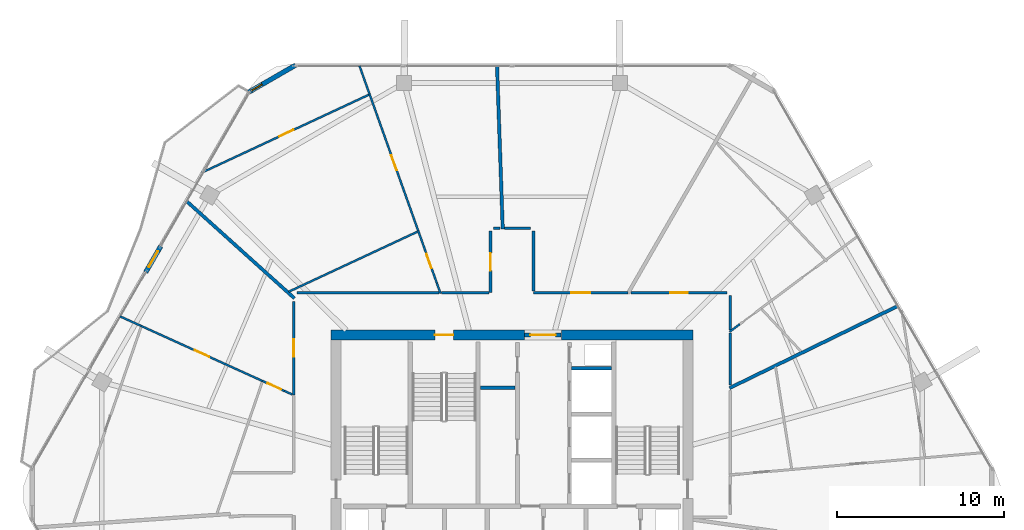
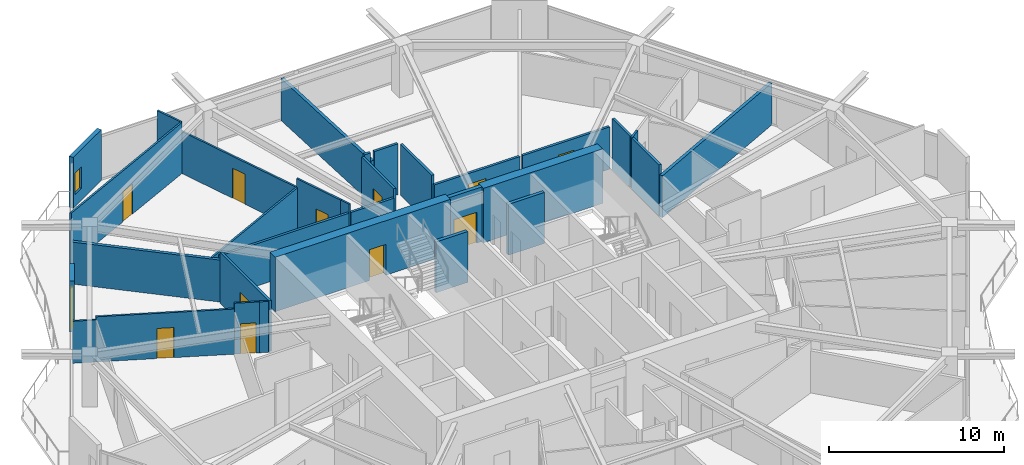
# One storey, part 21 of 25: 32 walls, 12 doors, 1 window, 13 openings.
"""IFC4 building model written with IfcOpenShell, lengths in metres."""

from ifc_helpers import new_model, si_unit, direction, frame, frame_2d, origin, place, context, subcontext, project, spatial, rectangle, extrude, material, layer, layer_set, type_object, element, fill, save


model = new_model("IFC4")

# Units and contexts
model_context = context("Model", 3, precision=1e-05, world=origin(), true_north=direction((0.0, 1.0)))
body_context = subcontext(model_context, "Body", "Model", "MODEL_VIEW")
ifc_project = project(units=[si_unit("LENGTHUNIT", "METRE"), si_unit("AREAUNIT", "SQUARE_METRE"), si_unit("VOLUMEUNIT", "CUBIC_METRE"), si_unit("PLANEANGLEUNIT", "RADIAN"), si_unit("MASSUNIT", "GRAM", prefix="KILO")], contexts=[model_context])

# Site, building, storey
site_placement = place(None, origin())
site = spatial("IfcSite", under=ifc_project, at=site_placement, CompositionType="ELEMENT")
building_placement = place(site_placement, origin())
building = spatial("IfcBuilding", under=site, at=building_placement, Name="Zuhravey Tower", CompositionType="ELEMENT")
storey_placement = place(building_placement, frame((0.0, 0.0, 235.0)))
storey = spatial("IfcBuildingStorey", under=building, at=storey_placement, Name="L59", CompositionType="ELEMENT", Elevation=235.0)

# Wall
ifc_material_1 = material(Name="Concrete C50/60", Category="concrete")
ifc_layer_1 = layer(ifc_material_1, 0.60009765625)
ifc_layer_set_1 = layer_set([ifc_layer_1], Name="Concrete C50/60")
wall_type_1 = type_object("IfcWallType", Name="Core Shear Wall 600", PredefinedType="SHEAR", material=ifc_layer_set_1)
wall_1_placement = place(storey_placement, frame((46.800048828125, 41.5, 0.0), z_axis=(0.0, 0.0, 1.0), x_axis=(-1.0, 0.0, 0.0)))
element("IfcWall", 1, at=wall_1_placement, inside=storey, type_object=wall_type_1, Name="L59 North-East Core Shear Wall CW60", PredefinedType="SHEAR", context=body_context, shape_type="SweptSolid", body=[
    extrude(rectangle(XDim=7.85009765625, YDim=0.60009765625, at=frame_2d((3.925048828125, 0.0))), origin(), (0.0, 0.0, 1.0), 3.800048828125),
])

# Wall, opening, door
wall_2_placement = place(storey_placement, frame((36.75, 41.5, 0.0), z_axis=(0.0, 0.0, 1.0), x_axis=(-1.0, 0.0, 0.0)))
wall_2 = element("IfcWall", 2, at=wall_2_placement, inside=storey, type_object=wall_type_1, Name="L59 North-West Core Shear Wall CW60", PredefinedType="SHEAR", context=body_context, shape_type="SweptSolid", body=[
    extrude(rectangle(XDim=11.550048828125, YDim=0.60009765625, at=frame_2d((5.77490234375, 0.0))), origin(), (0.0, 0.0, 1.0), 3.800048828125),
])
opening_1_placement = place(wall_2_placement, frame((4.25, 0.0, 0.0)))
opening_1 = element("IfcOpeningElement", 3, at=opening_1_placement, cuts=wall_2, Name="Opening STD1", PredefinedType="OPENING", context=body_context, shape_type="SweptSolid", body=[
    extrude(rectangle(XDim=1.10009765625, YDim=2.14990234375, at=frame_2d((0.550048828125, 1.074951171875))), frame((0.0, 0.31201171875, 0.0), z_axis=(0.0, -1.0, 0.0), x_axis=(1.0, 0.0, 0.0)), (0.0, 0.0, 1.0), 0.6240234375),
])
ifc_material_2 = material(Name="Galvanised fire-rated steel leaf", Category="steel")
door_type_1 = type_object("IfcDoorType", Name="Protected Stair Fire Door 1100x2150", OperationType="NOTDEFINED", PredefinedType="USERDEFINED", material=ifc_material_2)
door_1_placement = place(opening_1_placement, origin())
door_1 = element("IfcDoor", 4, at=door_1_placement, inside=storey, type_object=door_type_1, Name="L59 Stair ST3 Door", ObjectType="EXITDOOR", OperationType="SINGLE_SWING_RIGHT", OverallHeight=2.14990234375, OverallWidth=1.10009765625, PredefinedType="USERDEFINED", context=body_context, shape_type="SweptSolid", body=[
    extrude(rectangle(XDim=1.10009765625, YDim=2.14990234375, at=frame_2d((0.550048828125, 1.074951171875))), frame((0.0, 0.02490234375, 0.0), z_axis=(0.0, -1.0, 0.0), x_axis=(1.0, 0.0, 0.0)), (0.0, 0.0, 1.0), 0.050048828125),
])
fill(opening_1, door_1)

ifc_material_3 = material(Name="Gypsum fire-rated stud partition")
ifc_layer_2 = layer(ifc_material_3, 0.159912109375)
ifc_layer_set_2 = layer_set([ifc_layer_2], Name="Gypsum fire-rated stud partition")
wall_type_2 = type_object("IfcWallType", Name="Corridor Fire Partition 160", PredefinedType="PARTITIONING", material=ifc_layer_set_2)
wall_3_placement = place(storey_placement, frame((34.719970703125, 47.699951171875, 0.0), z_axis=(0.0, 0.0, 1.0), x_axis=(0.0, -1.0, 0.0)))
wall_3 = element("IfcWall", 5, at=wall_3_placement, inside=storey, type_object=wall_type_2, Name="L59 IW16 Partition 024", PredefinedType="PARTITIONING", context=body_context, shape_type="SweptSolid", body=[
    extrude(rectangle(XDim=3.669921875, YDim=0.159912109375, at=frame_2d((1.8349609375, 0.0))), origin(), (0.0, 0.0, 1.0), 3.550048828125),
])
opening_2_placement = place(wall_3_placement, frame((1.31005859375, 0.0, 0.0)))
opening_2 = element("IfcOpeningElement", 6, at=opening_2_placement, cuts=wall_3, Name="Opening APD1", PredefinedType="OPENING", context=body_context, shape_type="SweptSolid", body=[
    extrude(rectangle(XDim=1.050048828125, YDim=2.14990234375, at=frame_2d((0.52490234375, 1.074951171875))), frame((0.0, 0.092041015625, 0.0), z_axis=(0.0, -1.0, 0.0), x_axis=(1.0, 0.0, 0.0)), (0.0, 0.0, 1.0), 0.183837890625),
])
ifc_material_4 = material(Name="Solid-core oak fire-rated leaf")
door_type_2 = type_object("IfcDoorType", Name="Apartment Entrance Fire Door 1050x2150", OperationType="NOTDEFINED", PredefinedType="DOOR", material=ifc_material_4)
door_2_placement = place(opening_2_placement, frame((1.050048828125, 0.0, 0.0), z_axis=(0.0, 0.0, 1.0), x_axis=(-1.0, 0.0, 0.0)))
door_2 = element("IfcDoor", 7, at=door_2_placement, inside=storey, type_object=door_type_2, Name="L59 Door 024.1", OperationType="SINGLE_SWING_LEFT", OverallHeight=2.14990234375, OverallWidth=1.050048828125, PredefinedType="DOOR", context=body_context, shape_type="SweptSolid", body=[
    extrude(rectangle(XDim=1.050048828125, YDim=2.14990234375, at=frame_2d((0.52490234375, 1.074951171875))), frame((0.0, 0.02490234375, 0.0), z_axis=(0.0, -1.0, 0.0), x_axis=(1.0, 0.0, 0.0)), (0.0, 0.0, 1.0), 0.050048828125),
])
fill(opening_2, door_2)

wall_4_placement = place(storey_placement, frame((22.969970703125, 43.501220703125, 0.0), z_axis=(0.0, 0.0, 1.0), x_axis=(0.0, -1.0, 0.0)))
wall_4 = element("IfcWall", 8, at=wall_4_placement, inside=storey, type_object=wall_type_2, Name="L59 IW16 Partition 028", PredefinedType="PARTITIONING", context=body_context, shape_type="SweptSolid", body=[
    extrude(rectangle(XDim=5.568603515625, YDim=0.159912109375, at=frame_2d((2.7841796875, 0.0))), origin(), (0.0, 0.0, 1.0), 3.550048828125),
])
opening_3_placement = place(wall_4_placement, frame((2.25927734375, 0.0, 0.0)))
opening_3 = element("IfcOpeningElement", 9, at=opening_3_placement, cuts=wall_4, Name="Opening APD1", PredefinedType="OPENING", context=body_context, shape_type="SweptSolid", body=[
    extrude(rectangle(XDim=1.050048828125, YDim=2.14990234375, at=frame_2d((0.52490234375, 1.074951171875))), frame((0.0, 0.092041015625, 0.0), z_axis=(0.0, -1.0, 0.0), x_axis=(1.0, 0.0, 0.0)), (0.0, 0.0, 1.0), 0.183837890625),
])
door_3_placement = place(opening_3_placement, frame((1.050048828125, 0.0, 0.0), z_axis=(0.0, 0.0, 1.0), x_axis=(-1.0, 0.0, 0.0)))
door_3 = element("IfcDoor", 10, at=door_3_placement, inside=storey, type_object=door_type_2, Name="L59 Door 028.1", OperationType="SINGLE_SWING_LEFT", OverallHeight=2.14990234375, OverallWidth=1.050048828125, PredefinedType="DOOR", context=body_context, shape_type="SweptSolid", body=[
    extrude(rectangle(XDim=1.050048828125, YDim=2.14990234375, at=frame_2d((0.52490234375, 1.074951171875))), frame((0.0, 0.02490234375, 0.0), z_axis=(0.0, -1.0, 0.0), x_axis=(1.0, 0.0, 0.0)), (0.0, 0.0, 1.0), 0.050048828125),
])
fill(opening_3, door_3)

wall_5_placement = place(storey_placement, frame((48.85009765625, 44.030029296875, 0.0), z_axis=(0.0, 0.0, 1.0), x_axis=(-1.0, 0.0, 0.0)))
wall_5 = element("IfcWall", 11, at=wall_5_placement, inside=storey, type_object=wall_type_2, Name="L59 IW16 Partition 052", PredefinedType="PARTITIONING", context=body_context, shape_type="SweptSolid", body=[
    extrude(rectangle(XDim=5.74072265625, YDim=0.159912109375, at=frame_2d((2.870361328125, 0.0))), origin(), (0.0, 0.0, 1.0), 2.949951171875),
])
opening_4_placement = place(wall_5_placement, frame((2.34521484375, 0.0, 0.0)))
opening_4 = element("IfcOpeningElement", 12, at=opening_4_placement, cuts=wall_5, Name="Opening APD1", PredefinedType="OPENING", context=body_context, shape_type="SweptSolid", body=[
    extrude(rectangle(XDim=1.050048828125, YDim=2.14990234375, at=frame_2d((0.52490234375, 1.074951171875))), frame((0.0, 0.092041015625, 0.0), z_axis=(0.0, -1.0, 0.0), x_axis=(1.0, 0.0, 0.0)), (0.0, 0.0, 1.0), 0.183837890625),
])
door_4_placement = place(opening_4_placement, frame((1.050048828125, 0.0, 0.0), z_axis=(0.0, 0.0, 1.0), x_axis=(-1.0, 0.0, 0.0)))
door_4 = element("IfcDoor", 13, at=door_4_placement, inside=storey, type_object=door_type_2, Name="L59 Door 052.1", OperationType="SINGLE_SWING_LEFT", OverallHeight=2.14990234375, OverallWidth=1.050048828125, PredefinedType="DOOR", context=body_context, shape_type="SweptSolid", body=[
    extrude(rectangle(XDim=1.050048828125, YDim=2.14990234375, at=frame_2d((0.52490234375, 1.074951171875))), frame((0.0, 0.02490234375, 0.0), z_axis=(0.0, -1.0, 0.0), x_axis=(1.0, 0.0, 0.0)), (0.0, 0.0, 1.0), 0.050048828125),
])
fill(opening_4, door_4)

wall_6_placement = place(storey_placement, frame((42.92236328125, 44.030029296875, 0.0), z_axis=(0.0, 0.0, 1.0), x_axis=(-1.0, 0.0, 0.0)))
wall_6 = element("IfcWall", 14, at=wall_6_placement, inside=storey, type_object=wall_type_2, Name="L59 IW16 Partition 053", PredefinedType="PARTITIONING", context=body_context, shape_type="SweptSolid", body=[
    extrude(rectangle(XDim=5.642333984375, YDim=0.159912109375, at=frame_2d((2.8212890625, 0.0))), origin(), (0.0, 0.0, 1.0), 2.949951171875),
])
opening_5_placement = place(wall_6_placement, frame((2.24609375, 0.0, 0.0)))
opening_5 = element("IfcOpeningElement", 15, at=opening_5_placement, cuts=wall_6, Name="Opening CLD1", PredefinedType="OPENING", context=body_context, shape_type="SweptSolid", body=[
    extrude(rectangle(XDim=1.14990234375, YDim=2.199951171875, at=frame_2d((0.574951171875, 1.10009765625))), frame((0.0, 0.092041015625, 0.0), z_axis=(0.0, -1.0, 0.0), x_axis=(1.0, 0.0, 0.0)), (0.0, 0.0, 1.0), 0.183837890625),
])
ifc_material_5 = material(Name="Acoustic timber leaf with vision lite", Category="wood")
door_type_3 = type_object("IfcDoorType", Name="Classroom Acoustic Door 1150x2200", OperationType="NOTDEFINED", PredefinedType="DOOR", material=ifc_material_5)
door_5_placement = place(opening_5_placement, frame((1.14990234375, 0.0, 0.0), z_axis=(0.0, 0.0, 1.0), x_axis=(-1.0, 0.0, 0.0)))
door_5 = element("IfcDoor", 16, at=door_5_placement, inside=storey, type_object=door_type_3, Name="L59 Door 053.1", OperationType="SINGLE_SWING_RIGHT", OverallHeight=2.199951171875, OverallWidth=1.14990234375, PredefinedType="DOOR", context=body_context, shape_type="SweptSolid", body=[
    extrude(rectangle(XDim=1.14990234375, YDim=2.199951171875, at=frame_2d((0.574951171875, 1.10009765625))), frame((0.0, 0.02490234375, 0.0), z_axis=(0.0, -1.0, 0.0), x_axis=(1.0, 0.0, 0.0)), (0.0, 0.0, 1.0), 0.050048828125),
])
fill(opening_5, door_5)

# Walls
wall_7_placement = place(storey_placement, frame((34.632080078125, 44.030029296875, 0.0), z_axis=(0.0, 0.0, 1.0), x_axis=(-1.0, 0.0, 0.0)))
element("IfcWall", 17, at=wall_7_placement, inside=storey, type_object=wall_type_2, Name="L59 IW16 Partition 094", PredefinedType="PARTITIONING", context=body_context, shape_type="SweptSolid", body=[
    extrude(rectangle(XDim=2.843505859375, YDim=0.159912109375, at=frame_2d((1.421875, 0.0))), origin(), (0.0, 0.0, 1.0), 2.949951171875),
])
wall_8_placement = place(storey_placement, frame((35.28662109375, 47.8798828125, 0.0), z_axis=(0.0, 0.0, 1.0), x_axis=(-1.0, 0.0, 0.0)))
element("IfcWall", 18, at=wall_8_placement, inside=storey, type_object=wall_type_2, Name="L59 IW16 Partition 095", PredefinedType="PARTITIONING", context=body_context, shape_type="SweptSolid", body=[
    extrude(rectangle(XDim=0.38671875, YDim=0.159912109375, at=frame_2d((0.193359375, 0.0))), origin(), (0.0, 0.0, 1.0), 3.550048828125),
])
wall_9_placement = place(storey_placement, frame((31.64404296875, 44.030029296875, 0.0), z_axis=(0.0, 0.0, 1.0), x_axis=(-1.0, 0.0, 0.0)))
element("IfcWall", 19, at=wall_9_placement, inside=storey, type_object=wall_type_2, Name="L59 IW16 Partition 096", PredefinedType="PARTITIONING", context=body_context, shape_type="SweptSolid", body=[
    extrude(rectangle(XDim=8.494140625, YDim=0.159912109375, at=frame_2d((4.2470703125, 0.0))), origin(), (0.0, 0.0, 1.0), 2.949951171875),
])
wall_10_placement = place(storey_placement, frame((49.030029296875, 41.8076171875, 0.0), z_axis=(0.0, 0.0, 1.0), x_axis=(0.0, 1.0, 0.0)))
element("IfcWall", 20, at=wall_10_placement, inside=storey, type_object=wall_type_2, Name="L59 IW16 Partition 112", PredefinedType="PARTITIONING", context=body_context, shape_type="SweptSolid", body=[
    extrude(rectangle(XDim=2.04248046875, YDim=0.159912109375, at=frame_2d((1.021240234375, 0.0))), origin(), (0.0, 0.0, 1.0), 3.550048828125),
])
wall_11_placement = place(storey_placement, frame((49.030029296875, 38.518798828125, 0.0), z_axis=(0.0, 0.0, 1.0), x_axis=(0.0, 1.0, 0.0)))
element("IfcWall", 21, at=wall_11_placement, inside=storey, type_object=wall_type_2, Name="L59 IW16 Partition 113", PredefinedType="PARTITIONING", context=body_context, shape_type="SweptSolid", body=[
    extrude(rectangle(XDim=3.119140625, YDim=0.159912109375, at=frame_2d((1.5595703125, 0.0))), origin(), (0.0, 0.0, 1.0), 3.550048828125),
])
wall_12_placement = place(storey_placement, frame((37.280029296875, 44.117919921875, 0.0), z_axis=(0.0, 0.0, 1.0), x_axis=(0.0, 1.0, 0.0)))
element("IfcWall", 22, at=wall_12_placement, inside=storey, type_object=wall_type_2, Name="L59 IW16 Partition 114", PredefinedType="PARTITIONING", context=body_context, shape_type="SweptSolid", body=[
    extrude(rectangle(XDim=3.58203125, YDim=0.159912109375, at=frame_2d((1.791015625, 0.0))), origin(), (0.0, 0.0, 1.0), 3.550048828125),
])
wall_13_placement = place(storey_placement, frame((37.10009765625, 47.8798828125, 0.0), z_axis=(0.0, 0.0, 1.0), x_axis=(-1.0, 0.0, 0.0)))
element("IfcWall", 23, at=wall_13_placement, inside=storey, type_object=wall_type_2, Name="L59 IW16 Partition 115", PredefinedType="PARTITIONING", context=body_context, shape_type="SweptSolid", body=[
    extrude(rectangle(XDim=1.54638671875, YDim=0.159912109375, at=frame_2d((0.773193359375, 0.0))), origin(), (0.0, 0.0, 1.0), 3.550048828125),
])

# Wall, opening, door
ifc_material_6 = material(Name="Precast concrete C40/50", Category="concrete")
ifc_layer_3 = layer(ifc_material_6, 0.280029296875)
ifc_layer_set_3 = layer_set([ifc_layer_3], Name="Precast concrete C40/50")
wall_type_3 = type_object("IfcWallType", Name="Crown Architectural Wall 280", PredefinedType="SOLIDWALL", material=ifc_layer_set_3)
wall_14_placement = place(storey_placement, frame((14.1337890625, 45.25390625, 0.0), z_axis=(0.0, 0.0, 1.0), x_axis=(0.500041240653, 0.866001592173, 0.0)))
wall_14 = element("IfcWall", 24, at=wall_14_placement, inside=storey, type_object=wall_type_3, Name="L59 Face 3 Facade Pier EW28-1", PredefinedType="SOLIDWALL", context=body_context, shape_type="SweptSolid", body=[
    extrude(rectangle(XDim=1.789794921875, YDim=0.280029296875, at=frame_2d((0.89501953125, 0.0))), origin(), (0.0, 0.0, 1.0), 3.550048828125),
])
opening_6_placement = place(wall_14_placement, frame((0.344970703125, 0.0, 0.0)))
opening_6 = element("IfcOpeningElement", 25, at=opening_6_placement, cuts=wall_14, Name="Opening BLD1", PredefinedType="OPENING", context=body_context, shape_type="SweptSolid", body=[
    extrude(rectangle(XDim=1.10009765625, YDim=2.199951171875, at=frame_2d((0.550048828125, 1.10009765625))), frame((0.0, 0.152099609375, 0.0), z_axis=(0.0, -1.0, 0.0), x_axis=(1.0, 0.0, 0.0)), (0.0, 0.0, 1.0), 0.303955078125),
])
ifc_material_7 = material(Name="Thermally broken aluminium and low-E glass", Category="aluminium")
door_type_4 = type_object("IfcDoorType", Name="Balcony & Sky-Tray Glazed Door 1100x2200", OperationType="NOTDEFINED", PredefinedType="DOOR", material=ifc_material_7)
door_6_placement = place(opening_6_placement, frame((1.10009765625, 0.0, 0.0), z_axis=(0.0, 0.0, 1.0), x_axis=(-1.0, 0.0, 0.0)))
door_6 = element("IfcDoor", 26, at=door_6_placement, inside=storey, type_object=door_type_4, Name="L59 Face 3 Wave Balcony Door", OperationType="SINGLE_SWING_RIGHT", OverallHeight=2.199951171875, OverallWidth=1.10009765625, PredefinedType="DOOR", context=body_context, shape_type="SweptSolid", body=[
    extrude(rectangle(XDim=1.10009765625, YDim=2.199951171875, at=frame_2d((0.550048828125, 1.10009765625))), frame((0.0, 0.02490234375, 0.0), z_axis=(0.0, -1.0, 0.0), x_axis=(1.0, 0.0, 0.0)), (0.0, 0.0, 1.0), 0.050048828125),
])
fill(opening_6, door_6)

# Wall, opening, window
wall_15_placement = place(storey_placement, frame((20.285400390625, 56.003662109375, 0.0), z_axis=(0.0, 0.0, 1.0), x_axis=(0.866028773314, 0.499994163758, 0.0)))
wall_15 = element("IfcWall", 27, at=wall_15_placement, inside=storey, type_object=wall_type_3, Name="L59 Rounded Corner Closure Wall EW28-08", PredefinedType="SOLIDWALL", context=body_context, shape_type="SweptSolid", body=[
    extrude(rectangle(XDim=3.21484375, YDim=0.280029296875, at=frame_2d((1.607421875, 0.0))), origin(), (0.0, 0.0, 1.0), 3.550048828125),
])
opening_7_placement = place(wall_15_placement, frame((0.17578125, 0.0, 0.85009765625)))
opening_7 = element("IfcOpeningElement", 28, at=opening_7_placement, cuts=wall_15, Name="Opening WN5", PredefinedType="OPENING", context=body_context, shape_type="SweptSolid", body=[
    extrude(rectangle(XDim=0.75, YDim=1.5, at=frame_2d((0.375, 0.75))), frame((0.0, 0.152099609375, 0.0), z_axis=(0.0, -1.0, 0.0), x_axis=(1.0, 0.0, 0.0)), (0.0, 0.0, 1.0), 0.303955078125),
])
ifc_material_8 = material(Name="Thermally broken aluminium and triple low-E glass", Category="aluminium")
window_type = type_object("IfcWindowType", Name="Residential Corner Casement Window 750x1500", PartitioningType="SINGLE_PANEL", PredefinedType="WINDOW", material=ifc_material_8)
window_placement = place(opening_7_placement, origin())
window = element("IfcWindow", 29, at=window_placement, inside=storey, type_object=window_type, Name="L59 Corner Casement Window WN5-08.1", OverallHeight=1.5, OverallWidth=0.75, PartitioningType="SINGLE_PANEL", PredefinedType="WINDOW", context=body_context, shape_type="SweptSolid", body=[
    extrude(rectangle(XDim=0.75, YDim=1.5, at=frame_2d((0.375, 0.75))), frame((0.0, 0.030029296875, 0.0), z_axis=(0.0, -1.0, 0.0), x_axis=(1.0, 0.0, 0.0)), (0.0, 0.0, 1.0), 0.06005859375),
])
fill(opening_7, window)

# Wall, opening, door
ifc_layer_4 = layer(ifc_material_1, 0.25)
ifc_layer_set_4 = layer_set([ifc_layer_4], Name="Concrete C50/60")
wall_type_4 = type_object("IfcWallType", Name="Firefighting Shaft & Stair Wall 250", PredefinedType="SOLIDWALL", material=ifc_layer_set_4)
wall_16_placement = place(storey_placement, frame((36.760009765625, 41.5, 0.0), z_axis=(0.0, 0.0, 1.0), x_axis=(1.0, 0.0, 0.0)))
wall_16 = element("IfcWall", 30, at=wall_16_placement, inside=storey, type_object=wall_type_4, Name="L59 FW25 Shaft Wall 002", PredefinedType="SOLIDWALL", context=body_context, shape_type="SweptSolid", body=[
    extrude(rectangle(XDim=2.179931640625, YDim=0.25, at=frame_2d((1.08984375, 0.0))), origin(), (0.0, 0.0, 1.0), 3.800048828125),
])
opening_8_placement = place(wall_16_placement, frame((0.340087890625, 0.0, 0.0)))
opening_8 = element("IfcOpeningElement", 31, at=opening_8_placement, cuts=wall_16, Name="Opening FFD1", PredefinedType="OPENING", context=body_context, shape_type="SweptSolid", body=[
    extrude(rectangle(XDim=1.5, YDim=2.14990234375, at=frame_2d((0.75, 1.074951171875))), frame((0.0, 0.136962890625, 0.0), z_axis=(0.0, -1.0, 0.0), x_axis=(1.0, 0.0, 0.0)), (0.0, 0.0, 1.0), 0.27392578125),
])
door_type_5 = type_object("IfcDoorType", Name="Firefighting Lobby Double Door 1500x2150", OperationType="DOUBLE_DOOR_SINGLE_SWING", PredefinedType="DOOR", material=ifc_material_2)
door_7_placement = place(opening_8_placement, origin())
door_7 = element("IfcDoor", 32, at=door_7_placement, inside=storey, type_object=door_type_5, Name="L59 North Lift Lobby Exit Door", OperationType="DOUBLE_DOOR_SINGLE_SWING", OverallHeight=2.14990234375, OverallWidth=1.5, PredefinedType="DOOR", context=body_context, shape_type="SweptSolid", body=[
    extrude(rectangle(XDim=1.5, YDim=2.14990234375, at=frame_2d((0.75, 1.074951171875))), frame((0.0, 0.02490234375, 0.0), z_axis=(0.0, -1.0, 0.0), x_axis=(1.0, 0.0, 0.0)), (0.0, 0.0, 1.0), 0.050048828125),
])
fill(opening_8, door_7)

# Walls
ifc_material_9 = material(Name="Gypsum double-stud party assembly")
ifc_layer_5 = layer(ifc_material_9, 0.199951171875)
ifc_layer_set_5 = layer_set([ifc_layer_5], Name="Gypsum double-stud party assembly")
wall_type_5 = type_object("IfcWallType", Name="Inter-Tenancy Party Wall 200", PredefinedType="PARTITIONING", material=ifc_layer_set_5)
wall_17_placement = place(storey_placement, frame((35.447021484375, 47.840087890625, 0.0), z_axis=(0.0, 0.0, 1.0), x_axis=(-0.034903897424, 0.999390673333, 0.0)))
element("IfcWall", 33, at=wall_17_placement, inside=storey, type_object=wall_type_5, Name="L59 IW20 Partition 058", PredefinedType="PARTITIONING", context=body_context, shape_type="SweptSolid", body=[
    extrude(rectangle(XDim=9.7294921875, YDim=0.199951171875, at=frame_2d((4.86474609375, 0.0))), origin(), (0.0, 0.0, 1.0), 2.929931640625),
])
wall_18_placement = place(storey_placement, frame((23.010009765625, 43.6962890625, 0.0), z_axis=(0.0, 0.0, 1.0), x_axis=(-0.743146853016, 0.669128354542, 0.0)))
element("IfcWall", 34, at=wall_18_placement, inside=storey, type_object=wall_type_5, Name="L59 IW20 Partition 062", PredefinedType="PARTITIONING", context=body_context, shape_type="SweptSolid", body=[
    extrude(rectangle(XDim=8.655029296875, YDim=0.199951171875, at=frame_2d((4.32763671875, 0.0))), origin(), (0.0, 0.0, 1.0), 2.929931640625),
])
wall_19_placement = place(storey_placement, frame((48.989990234375, 38.335693359375, 0.0), z_axis=(0.0, 0.0, 1.0), x_axis=(0.898797423647, 0.438364222133, 0.0)))
element("IfcWall", 35, at=wall_19_placement, inside=storey, type_object=wall_type_5, Name="L59 IW20 Partition 090", PredefinedType="PARTITIONING", context=body_context, shape_type="SweptSolid", body=[
    extrude(rectangle(XDim=11.17333984375, YDim=0.199951171875, at=frame_2d((5.586669921875, 0.0))), origin(), (0.0, 0.0, 1.0), 2.929931640625),
])
ifc_material_10 = material(Name="Gypsum acoustic stud assembly")
ifc_layer_6 = layer(ifc_material_10, 0.219970703125)
ifc_layer_set_6 = layer_set([ifc_layer_6], Name="Gypsum acoustic stud assembly")
wall_type_6 = type_object("IfcWallType", Name="School Acoustic Compartment Wall 220", PredefinedType="PARTITIONING", material=ifc_layer_set_6)
wall_20_placement = place(storey_placement, frame((34.10791015625, 38.35009765625, 0.0), z_axis=(0.0, 0.0, 1.0), x_axis=(1.0, 0.0, 0.0)))
element("IfcWall", 36, at=wall_20_placement, inside=storey, type_object=wall_type_6, Name="L59 IW22 Partition 054", PredefinedType="PARTITIONING", context=body_context, shape_type="SweptSolid", body=[
    extrude(rectangle(XDim=2.083984375, YDim=0.219970703125, at=frame_2d((1.0419921875, 0.0))), origin(), (0.0, 0.0, 1.0), 3.550048828125),
])
wall_21_placement = place(storey_placement, frame((39.55810546875, 39.52490234375, 0.0), z_axis=(0.0, 0.0, 1.0), x_axis=(1.0, 0.0, 0.0)))
element("IfcWall", 37, at=wall_21_placement, inside=storey, type_object=wall_type_6, Name="L59 IW22 Partition 057", PredefinedType="PARTITIONING", context=body_context, shape_type="SweptSolid", body=[
    extrude(rectangle(XDim=2.3837890625, YDim=0.219970703125, at=frame_2d((1.19189453125, 0.0))), origin(), (0.0, 0.0, 1.0), 3.550048828125),
])

# Wall, opening, door
ifc_material_11 = material(Name="Gypsum metal-stud partition")
ifc_layer_7 = layer(ifc_material_11, 0.1201171875)
ifc_layer_set_7 = layer_set([ifc_layer_7], Name="Gypsum metal-stud partition")
wall_type_7 = type_object("IfcWallType", Name="Unit Internal Partition 120", PredefinedType="PARTITIONING", material=ifc_layer_set_7)
wall_22_placement = place(storey_placement, frame((31.51318359375, 44.60009765625, 0.0), z_axis=(0.0, 0.0, 1.0), x_axis=(-0.335421123767, 0.94206829356, 0.0)))
wall_22 = element("IfcWall", 38, at=wall_22_placement, inside=storey, type_object=wall_type_7, Name="L59 IW12 Partition 021", PredefinedType="PARTITIONING", context=body_context, shape_type="SweptSolid", body=[
    extrude(rectangle(XDim=3.3125, YDim=0.1201171875, at=frame_2d((1.65625, 0.0))), origin(), (0.0, 0.0, 1.0), 3.550048828125),
])
opening_9_placement = place(wall_22_placement, frame((0.94140625, 0.0, 0.0)))
opening_9 = element("IfcOpeningElement", 39, at=opening_9_placement, cuts=wall_22, Name="Opening WCD1", PredefinedType="OPENING", context=body_context, shape_type="SweptSolid", body=[
    extrude(rectangle(XDim=0.89990234375, YDim=2.10009765625, at=frame_2d((0.449951171875, 1.050048828125))), frame((0.0, 0.072021484375, 0.0), z_axis=(0.0, -1.0, 0.0), x_axis=(1.0, 0.0, 0.0)), (0.0, 0.0, 1.0), 0.14404296875),
])
ifc_material_12 = material(Name="Moisture-resistant timber leaf", Category="wood")
door_type_6 = type_object("IfcDoorType", Name="Bathroom & WC Internal Door 900x2100", OperationType="NOTDEFINED", PredefinedType="DOOR", material=ifc_material_12)
door_8_placement = place(opening_9_placement, origin())
door_8 = element("IfcDoor", 40, at=door_8_placement, inside=storey, type_object=door_type_6, Name="Apartment L59-01 Bathroom Door", OperationType="SINGLE_SWING_RIGHT", OverallHeight=2.10009765625, OverallWidth=0.89990234375, PredefinedType="DOOR", context=body_context, shape_type="SweptSolid", body=[
    extrude(rectangle(XDim=0.89990234375, YDim=2.10009765625, at=frame_2d((0.449951171875, 1.050048828125))), frame((0.0, 0.02490234375, 0.0), z_axis=(0.0, -1.0, 0.0), x_axis=(1.0, 0.0, 0.0)), (0.0, 0.0, 1.0), 0.050048828125),
])
fill(opening_9, door_8)

wall_23_placement = place(storey_placement, frame((30.402099609375, 47.720703125, 0.0), z_axis=(0.0, 0.0, 1.0), x_axis=(-0.335444891368, 0.942059830826, 0.0)))
wall_23 = element("IfcWall", 41, at=wall_23_placement, inside=storey, type_object=wall_type_7, Name="L59 IW12 Partition 022", PredefinedType="PARTITIONING", context=body_context, shape_type="SweptSolid", body=[
    extrude(rectangle(XDim=8.675537109375, YDim=0.1201171875, at=frame_2d((4.337890625, 0.0))), origin(), (0.0, 0.0, 1.0), 2.929931640625),
])
opening_10_placement = place(wall_23_placement, frame((3.837890625, 0.0, 0.0)))
opening_10 = element("IfcOpeningElement", 42, at=opening_10_placement, cuts=wall_23, Name="Opening IND1", PredefinedType="OPENING", context=body_context, shape_type="SweptSolid", body=[
    extrude(rectangle(XDim=0.949951171875, YDim=2.10009765625, at=frame_2d((0.47509765625, 1.050048828125))), frame((0.0, 0.072021484375, 0.0), z_axis=(0.0, -1.0, 0.0), x_axis=(1.0, 0.0, 0.0)), (0.0, 0.0, 1.0), 0.14404296875),
])
ifc_material_13 = material(Name="Painted engineered timber leaf", Category="wood")
door_type_7 = type_object("IfcDoorType", Name="Internal Room & Bedroom Door 950x2100", OperationType="NOTDEFINED", PredefinedType="DOOR", material=ifc_material_13)
door_9_placement = place(opening_10_placement, origin())
door_9 = element("IfcDoor", 43, at=door_9_placement, inside=storey, type_object=door_type_7, Name="Apartment L59-01 Home Office Door", OperationType="SINGLE_SWING_LEFT", OverallHeight=2.10009765625, OverallWidth=0.949951171875, PredefinedType="DOOR", context=body_context, shape_type="SweptSolid", body=[
    extrude(rectangle(XDim=0.949951171875, YDim=2.10009765625, at=frame_2d((0.47509765625, 1.050048828125))), frame((0.0, 0.02490234375, 0.0), z_axis=(0.0, -1.0, 0.0), x_axis=(1.0, 0.0, 0.0)), (0.0, 0.0, 1.0), 0.050048828125),
])
fill(opening_10, door_9)

wall_24_placement = place(storey_placement, frame((27.438232421875, 55.84130859375, 0.0), z_axis=(0.0, 0.0, 1.0), x_axis=(-0.906302762653, -0.4226290364, 0.0)))
wall_24 = element("IfcWall", 44, at=wall_24_placement, inside=storey, type_object=wall_type_7, Name="L59 IW12 Partition 023", PredefinedType="PARTITIONING", context=body_context, shape_type="SweptSolid", body=[
    extrude(rectangle(XDim=10.998291015625, YDim=0.1201171875, at=frame_2d((5.4990234375, 0.0))), origin(), (0.0, 0.0, 1.0), 3.550048828125),
])
opening_11_placement = place(wall_24_placement, frame((4.939697265625, 0.0, 0.0)))
opening_11 = element("IfcOpeningElement", 45, at=opening_11_placement, cuts=wall_24, Name="Opening IND1", PredefinedType="OPENING", context=body_context, shape_type="SweptSolid", body=[
    extrude(rectangle(XDim=0.949951171875, YDim=2.10009765625, at=frame_2d((0.47509765625, 1.050048828125))), frame((0.0, 0.072021484375, 0.0), z_axis=(0.0, -1.0, 0.0), x_axis=(1.0, 0.0, 0.0)), (0.0, 0.0, 1.0), 0.14404296875),
])
door_10_placement = place(opening_11_placement, frame((0.949951171875, 0.0, 0.0), z_axis=(0.0, 0.0, 1.0), x_axis=(-1.0, 0.0, 0.0)))
door_10 = element("IfcDoor", 46, at=door_10_placement, inside=storey, type_object=door_type_7, Name="Apartment L59-01 Bedroom 1 Door", OperationType="SINGLE_SWING_RIGHT", OverallHeight=2.10009765625, OverallWidth=0.949951171875, PredefinedType="DOOR", context=body_context, shape_type="SweptSolid", body=[
    extrude(rectangle(XDim=0.949951171875, YDim=2.10009765625, at=frame_2d((0.47509765625, 1.050048828125))), frame((0.0, 0.02490234375, 0.0), z_axis=(0.0, -1.0, 0.0), x_axis=(1.0, 0.0, 0.0)), (0.0, 0.0, 1.0), 0.050048828125),
])
fill(opening_11, door_10)

wall_25_placement = place(storey_placement, frame((22.39990234375, 38.169189453125, 0.0), z_axis=(0.0, 0.0, 1.0), x_axis=(-0.910638522973, 0.413203921178, 0.0)))
wall_25 = element("IfcWall", 47, at=wall_25_placement, inside=storey, type_object=wall_type_7, Name="L59 IW12 Partition 025", PredefinedType="PARTITIONING", context=body_context, shape_type="SweptSolid", body=[
    extrude(rectangle(XDim=1.443359375, YDim=0.1201171875, at=frame_2d((0.7216796875, 0.0))), origin(), (0.0, 0.0, 1.0), 3.550048828125),
])
opening_12_placement = place(wall_25_placement, frame((0.199951171875, 0.0, 0.0)))
opening_12 = element("IfcOpeningElement", 48, at=opening_12_placement, cuts=wall_25, Name="Opening WCD1", PredefinedType="OPENING", context=body_context, shape_type="SweptSolid", body=[
    extrude(rectangle(XDim=0.89990234375, YDim=2.10009765625, at=frame_2d((0.449951171875, 1.050048828125))), frame((0.0, 0.072021484375, 0.0), z_axis=(0.0, -1.0, 0.0), x_axis=(1.0, 0.0, 0.0)), (0.0, 0.0, 1.0), 0.14404296875),
])
door_11_placement = place(opening_12_placement, origin())
door_11 = element("IfcDoor", 49, at=door_11_placement, inside=storey, type_object=door_type_6, Name="Apartment L59-02 Bathroom Door", OperationType="SINGLE_SWING_RIGHT", OverallHeight=2.10009765625, OverallWidth=0.89990234375, PredefinedType="DOOR", context=body_context, shape_type="SweptSolid", body=[
    extrude(rectangle(XDim=0.89990234375, YDim=2.10009765625, at=frame_2d((0.449951171875, 1.050048828125))), frame((0.0, 0.02490234375, 0.0), z_axis=(0.0, -1.0, 0.0), x_axis=(1.0, 0.0, 0.0)), (0.0, 0.0, 1.0), 0.050048828125),
])
fill(opening_12, door_11)

wall_26_placement = place(storey_placement, frame((21.08544921875, 38.765625, 0.0), z_axis=(0.0, 0.0, 1.0), x_axis=(-0.91068296075, 0.413105973085, 0.0)))
wall_26 = element("IfcWall", 50, at=wall_26_placement, inside=storey, type_object=wall_type_7, Name="L59 IW12 Partition 026", PredefinedType="PARTITIONING", context=body_context, shape_type="SweptSolid", body=[
    extrude(rectangle(XDim=7.9453125, YDim=0.1201171875, at=frame_2d((3.97265625, 0.0))), origin(), (0.0, 0.0, 1.0), 3.14990234375),
])
opening_13_placement = place(wall_26_placement, frame((3.47265625, 0.0, 0.0)))
opening_13 = element("IfcOpeningElement", 51, at=opening_13_placement, cuts=wall_26, Name="Opening IND1", PredefinedType="OPENING", context=body_context, shape_type="SweptSolid", body=[
    extrude(rectangle(XDim=0.949951171875, YDim=2.10009765625, at=frame_2d((0.47509765625, 1.050048828125))), frame((0.0, 0.072021484375, 0.0), z_axis=(0.0, -1.0, 0.0), x_axis=(1.0, 0.0, 0.0)), (0.0, 0.0, 1.0), 0.14404296875),
])
door_12_placement = place(opening_13_placement, origin())
door_12 = element("IfcDoor", 52, at=door_12_placement, inside=storey, type_object=door_type_7, Name="Apartment L59-02 Home Office Door", OperationType="SINGLE_SWING_LEFT", OverallHeight=2.10009765625, OverallWidth=0.949951171875, PredefinedType="DOOR", context=body_context, shape_type="SweptSolid", body=[
    extrude(rectangle(XDim=0.949951171875, YDim=2.10009765625, at=frame_2d((0.47509765625, 1.050048828125))), frame((0.0, 0.02490234375, 0.0), z_axis=(0.0, -1.0, 0.0), x_axis=(1.0, 0.0, 0.0)), (0.0, 0.0, 1.0), 0.050048828125),
])
fill(opening_13, door_12)

# Walls
wall_27_placement = place(storey_placement, frame((31.731689453125, 43.986572265625, 0.0), z_axis=(0.0, 0.0, 1.0), x_axis=(-0.335505115036, 0.942038384454, 0.0)))
element("IfcWall", 53, at=wall_27_placement, inside=storey, type_object=wall_type_7, Name="L59 IW12 Partition 059", PredefinedType="PARTITIONING", context=body_context, shape_type="SweptSolid", body=[
    extrude(rectangle(XDim=0.6513671875, YDim=0.1201171875, at=frame_2d((0.32568359375, 0.0))), origin(), (0.0, 0.0, 1.0), 3.550048828125),
])
wall_28_placement = place(storey_placement, frame((27.491943359375, 55.8935546875, 0.0), z_axis=(0.0, 0.0, 1.0), x_axis=(-0.335440333939, 0.942061453604, 0.0)))
element("IfcWall", 54, at=wall_28_placement, inside=storey, type_object=wall_type_7, Name="L59 IW12 Partition 060", PredefinedType="PARTITIONING", context=body_context, shape_type="SweptSolid", body=[
    extrude(rectangle(XDim=1.778076171875, YDim=0.1201171875, at=frame_2d((0.88916015625, 0.0))), origin(), (0.0, 0.0, 1.0), 3.550048828125),
])
wall_29_placement = place(storey_placement, frame((30.3486328125, 47.668212890625, 0.0), z_axis=(0.0, 0.0, 1.0), x_axis=(-0.906307413794, -0.422619062162, 0.0)))
element("IfcWall", 55, at=wall_29_placement, inside=storey, type_object=wall_type_7, Name="L59 IW12 Partition 061", PredefinedType="PARTITIONING", context=body_context, shape_type="SweptSolid", body=[
    extrude(rectangle(XDim=8.479248046875, YDim=0.1201171875, at=frame_2d((4.23974609375, 0.0))), origin(), (0.0, 0.0, 1.0), 2.949951171875),
])
wall_30_placement = place(storey_placement, frame((22.882080078125, 37.95068359375, 0.0), z_axis=(0.0, 0.0, 1.0), x_axis=(-0.910839700521, 0.41276026935, 0.0)))
element("IfcWall", 56, at=wall_30_placement, inside=storey, type_object=wall_type_7, Name="L59 IW12 Partition 063", PredefinedType="PARTITIONING", context=body_context, shape_type="SweptSolid", body=[
    extrude(rectangle(XDim=0.529296875, YDim=0.1201171875, at=frame_2d((0.2646484375, 0.0))), origin(), (0.0, 0.0, 1.0), 3.550048828125),
])
wall_31_placement = place(storey_placement, frame((13.849853515625, 42.0478515625, 0.0), z_axis=(0.0, 0.0, 1.0), x_axis=(-0.910665587289, 0.413144270355, 0.0)))
element("IfcWall", 57, at=wall_31_placement, inside=storey, type_object=wall_type_7, Name="L59 IW12 Partition 064", PredefinedType="PARTITIONING", context=body_context, shape_type="SweptSolid", body=[
    extrude(rectangle(XDim=1.36865234375, YDim=0.1201171875, at=frame_2d((0.684326171875, 0.0))), origin(), (0.0, 0.0, 1.0), 2.929931640625),
])
wall_32_placement = place(storey_placement, frame((48.985107421875, 41.689208984375, 0.0), z_axis=(0.0, 0.0, 1.0), x_axis=(0.801410352198, 0.598114911526, 0.0)))
element("IfcWall", 58, at=wall_32_placement, inside=storey, type_object=wall_type_7, Name="L59 IW12 Partition 091", PredefinedType="PARTITIONING", context=body_context, shape_type="SweptSolid", body=[
    extrude(rectangle(XDim=0.767333984375, YDim=0.1201171875, at=frame_2d((0.3837890625, 0.0))), origin(), (0.0, 0.0, 1.0), 3.550048828125),
])

save(model, "model.ifc")
